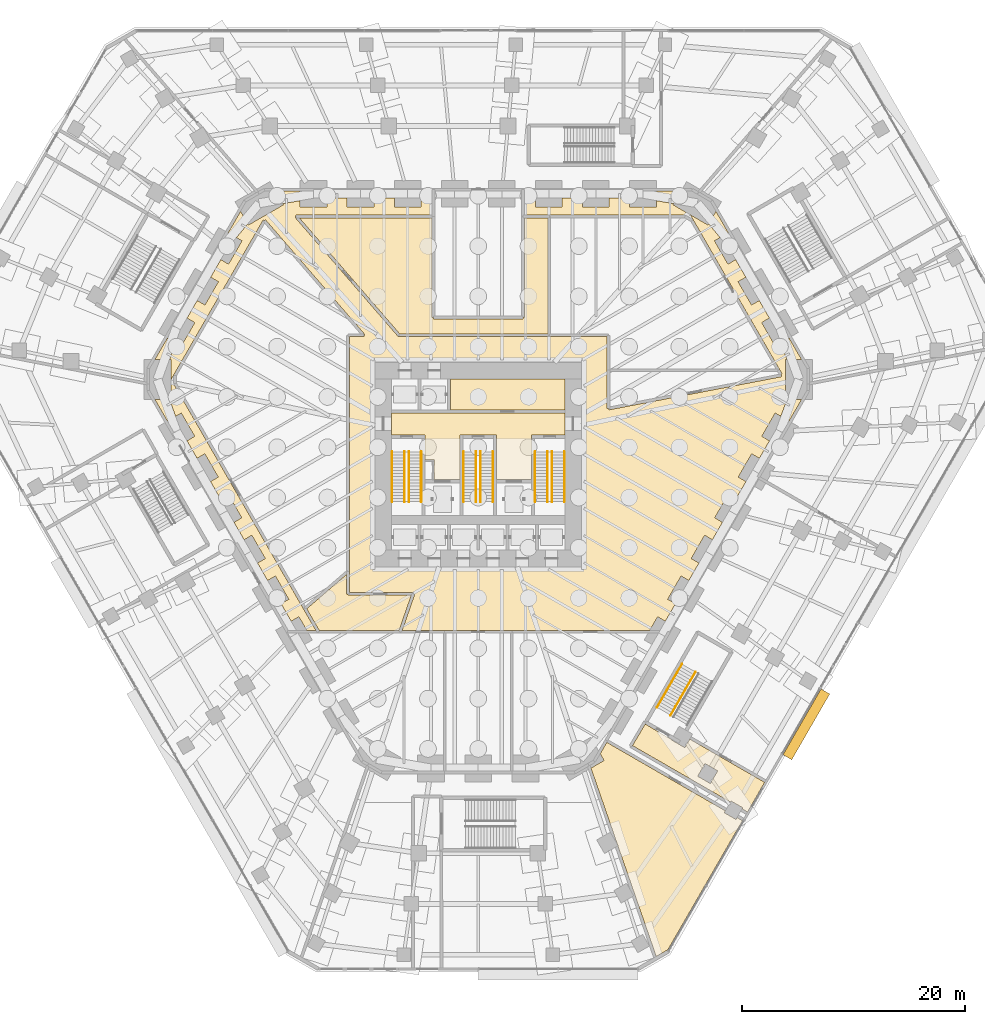
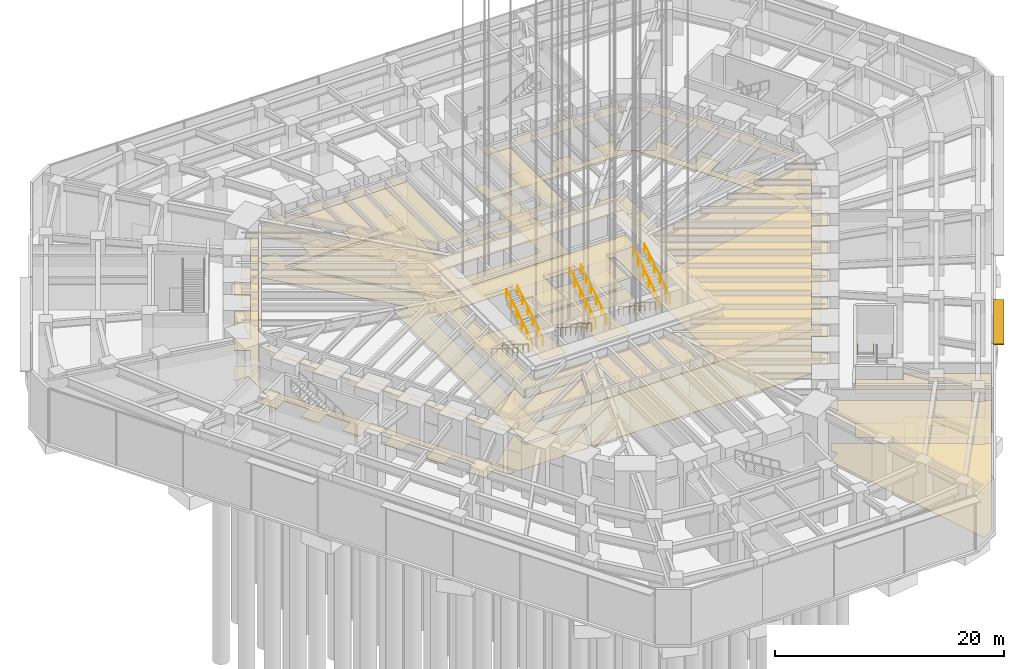
# One storey, part 26 of 34: 14 railings, 13 coverings, 1 shading device.
"""IFC4 building model written with IfcOpenShell, lengths in metres."""

from ifc_helpers import new_model, si_unit, direction, frame, origin, origin_2d, place, context, subcontext, project, spatial, polyline, rectangle, circle, outline, extrude, material, layer, layer_set, type_object, element, save


model = new_model("IFC4")

# Units and contexts
model_context = context("Model", 3, precision=1e-05, world=origin(), true_north=direction((0.0, 1.0)))
body_context = subcontext(model_context, "Body", "Model", "MODEL_VIEW")
ifc_project = project(units=[si_unit("LENGTHUNIT", "METRE"), si_unit("AREAUNIT", "SQUARE_METRE"), si_unit("VOLUMEUNIT", "CUBIC_METRE"), si_unit("PLANEANGLEUNIT", "RADIAN"), si_unit("MASSUNIT", "GRAM", prefix="KILO")], contexts=[model_context])

# Site, building, storey
site_placement = place(None, origin())
site = spatial("IfcSite", under=ifc_project, at=site_placement, CompositionType="ELEMENT")
building_placement = place(site_placement, origin())
building = spatial("IfcBuilding", under=site, at=building_placement, Name="Sandreach Pilgrim Tower", CompositionType="ELEMENT")
storey_placement = place(building_placement, origin())
storey = spatial("IfcBuildingStorey", under=building, at=storey_placement, Name="L00", CompositionType="ELEMENT", Elevation=0.0)

# Coverings
ifc_material_1 = material(Name="Nylon carpet tile on the slab", Category="textile")
ifc_layer_1 = layer(ifc_material_1, 0.008056640625)
ifc_layer_set_1 = layer_set([ifc_layer_1], Name="Carpet tile")
covering_type_1 = type_object("IfcCoveringType", Name="Carpet tile", PredefinedType="FLOORING", material=ifc_layer_set_1)
covering_1_placement = place(storey_placement, origin())
element("IfcCovering", 1, at=covering_1_placement, inside=storey, type_object=covering_type_1, Name="Floor finish 00E8 Stair ST8 exit passageway", PredefinedType="FLOORING", context=body_context, shape_type="SweptSolid", body=[
    extrude(outline(polyline([(17.283935546875, -26.1650390625), (17.2744140625, -26.181884765625), (18.48681640625, -26.8818359375), (18.92822265625, -26.116943359375), (25.634765625, -29.990478515625), (24.101806640625, -32.645263671875), (23.608154296875, -32.360595703125), (23.662841796875, -32.265625), (22.623779296875, -31.665771484375), (22.568603515625, -31.760986328125), (13.8017578125, -26.704833984375), (14.943115234375, -24.769775390625), (17.283935546875, -26.1650390625)]), holes=[polyline([(21.4248046875, -28.967529296875), (20.299072265625, -28.3173828125), (19.64892578125, -29.443359375), (20.77490234375, -30.09326171875), (21.4248046875, -28.967529296875)])]), origin(), (0.0, 0.0, 1.0), 0.008056640625),
])
covering_2_placement = place(storey_placement, origin())
element("IfcCovering", 2, at=covering_2_placement, inside=storey, type_object=covering_type_1, Name="Floor finish 00N3 Pilgrim arrivals lounge", PredefinedType="FLOORING", context=body_context, shape_type="SweptSolid", body=[
    extrude(outline(polyline([(11.26513671875, -28.0361328125), (10.916015625, -27.431640625), (11.505615234375, -26.41064453125), (22.119140625, -32.53955078125), (22.023681640625, -32.704833984375), (23.06298828125, -33.304931640625), (23.158447265625, -33.1396484375), (23.643310546875, -33.419677734375), (16.973388671875, -44.97216796875), (15.9248046875, -45.577392578125), (12.4951171875, -35.67529296875), (12.514404296875, -35.664306640625), (12.456787109375, -35.564697265625), (10.085205078125, -28.71728515625), (11.26513671875, -28.0361328125)])), origin(), (0.0, 0.0, 1.0), 0.008056640625),
])
covering_3_placement = place(storey_placement, origin())
element("IfcCovering", 3, at=covering_3_placement, inside=storey, type_object=covering_type_1, Name="Floor finish 00N5 Ground floor prayer room", PredefinedType="FLOORING", context=body_context, shape_type="SweptSolid", body=[
    extrude(outline(polyline([(4.0, 11.4951171875), (4.0, 11.6201171875), (4.125, 11.6201171875), (4.125, 20.52490234375), (6.235107421875, 20.52490234375), (6.235107421875, 10.14501953125), (-7.032958984375, 10.14501953125), (-16.0166015625, 20.52490234375), (-4.125, 20.52490234375), (-4.125, 11.6201171875), (-4.0, 11.6201171875), (-4.0, 11.4951171875), (4.0, 11.4951171875)])), origin(), (0.0, 0.0, 1.0), 0.008056640625),
])
covering_4_placement = place(storey_placement, origin())
element("IfcCovering", 4, at=covering_4_placement, inside=storey, type_object=covering_type_1, Name="Floor finish 00N6 Security office", PredefinedType="FLOORING", context=body_context, shape_type="SweptSolid", body=[
    extrude(outline(polyline([(-5.985595703125, -13.2451171875), (-7.078857421875, -16.39501953125), (-14.237548828125, -16.39501953125), (-15.350341796875, -14.45703125), (-11.794921875, -11.38330078125), (-11.794921875, -13.1201171875), (-11.669921875, -13.1201171875), (-11.669921875, -13.2451171875), (-5.985595703125, -13.2451171875)])), origin(), (0.0, 0.0, 1.0), 0.008056640625),
])
covering_5_placement = place(storey_placement, origin())
element("IfcCovering", 5, at=covering_5_placement, inside=storey, type_object=covering_type_1, Name="Floor finish 00FL Fire service lift lobby", PredefinedType="FLOORING", context=body_context, shape_type="SweptSolid", body=[
    extrude(outline(polyline([(-3.949951171875, -1.125), (-4.75, -1.125), (-4.75, 1.10009765625), (-7.75, 1.10009765625), (-7.75, 3.050048828125), (7.75, 3.050048828125), (7.75, 1.10009765625), (4.75, 1.10009765625), (4.75, -2.89990234375), (1.64990234375, -2.89990234375), (1.64990234375, 1.10009765625), (-1.64990234375, 1.10009765625), (-1.64990234375, -2.89990234375), (-3.949951171875, -2.89990234375), (-3.949951171875, -1.125)])), origin(), (0.0, 0.0, 1.0), 0.008056640625),
])
ifc_material_2 = material(Name="Epoxy resin floor on the slab", Category="plastic")
ifc_layer_2 = layer(ifc_material_2, 0.00390625)
ifc_layer_set_2 = layer_set([ifc_layer_2], Name="Epoxy resin floor")
covering_type_2 = type_object("IfcCoveringType", Name="Epoxy resin floor", PredefinedType="FLOORING", material=ifc_layer_set_2)
covering_6_placement = place(storey_placement, origin())
element("IfcCovering", 6, at=covering_6_placement, inside=storey, type_object=covering_type_2, Name="Floor finish 00K1 Back of house store", PredefinedType="FLOORING", context=body_context, shape_type="SweptSolid", body=[
    extrude(outline(polyline([(-2.5, 6.10009765625), (7.75, 6.10009765625), (7.75, 3.35009765625), (-2.5, 3.35009765625), (-2.5, 6.10009765625)])), origin(), (0.0, 0.0, 1.0), 0.00390625),
])
ifc_material_3 = material(Name="Gypsum board suspended ceiling on a steel grid", Category="steel")
ifc_layer_3 = layer(ifc_material_3, 0.012939453125)
ifc_layer_set_3 = layer_set([ifc_layer_3], Name="Gypsum board suspended ceiling")
covering_type_3 = type_object("IfcCoveringType", Name="Gypsum board suspended ceiling", PredefinedType="CEILING", material=ifc_layer_set_3)
covering_7_placement = place(storey_placement, frame((0.0, 0.0, 4.64990234375)))
element("IfcCovering", 7, at=covering_7_placement, inside=storey, type_object=covering_type_3, Name="Ceiling 00E8 Stair ST8 exit passageway", PredefinedType="CEILING", context=body_context, shape_type="SweptSolid", body=[
    extrude(outline(polyline([(17.283935546875, -26.1650390625), (17.2744140625, -26.181884765625), (18.48681640625, -26.8818359375), (18.92822265625, -26.116943359375), (25.634765625, -29.990478515625), (24.101806640625, -32.645263671875), (23.608154296875, -32.360595703125), (23.662841796875, -32.265625), (22.623779296875, -31.665771484375), (22.568603515625, -31.760986328125), (13.8017578125, -26.704833984375), (14.943115234375, -24.769775390625), (17.283935546875, -26.1650390625)]), holes=[polyline([(20.77490234375, -30.09326171875), (21.4248046875, -28.967529296875), (20.299072265625, -28.3173828125), (19.64892578125, -29.443359375), (20.77490234375, -30.09326171875)])]), origin(), (0.0, 0.0, 1.0), 0.01318359375),
])
covering_8_placement = place(storey_placement, frame((0.0, 0.0, 4.64990234375)))
element("IfcCovering", 8, at=covering_8_placement, inside=storey, type_object=covering_type_3, Name="Ceiling 00N3 Pilgrim arrivals lounge", PredefinedType="CEILING", context=body_context, shape_type="SweptSolid", body=[
    extrude(outline(polyline([(10.916015625, -27.431640625), (11.505615234375, -26.41064453125), (22.119140625, -32.53955078125), (22.023681640625, -32.704833984375), (23.06298828125, -33.304931640625), (23.158447265625, -33.1396484375), (23.643310546875, -33.419677734375), (16.973388671875, -44.97216796875), (15.9248046875, -45.577392578125), (12.4951171875, -35.67529296875), (12.514404296875, -35.664306640625), (12.456787109375, -35.564697265625), (10.085205078125, -28.71728515625), (11.26513671875, -28.0361328125), (10.916015625, -27.431640625)])), origin(), (0.0, 0.0, 1.0), 0.01318359375),
])
covering_9_placement = place(storey_placement, frame((0.0, 0.0, 4.949951171875)))
element("IfcCovering", 9, at=covering_9_placement, inside=storey, type_object=covering_type_3, Name="Ceiling 00N5 Ground floor prayer room", PredefinedType="CEILING", context=body_context, shape_type="SweptSolid", body=[
    extrude(outline(polyline([(4.0, 11.4951171875), (4.0, 11.6201171875), (4.125, 11.6201171875), (4.125, 20.52490234375), (6.235107421875, 20.52490234375), (6.235107421875, 10.14501953125), (-7.032958984375, 10.14501953125), (-16.0166015625, 20.52490234375), (-4.125, 20.52490234375), (-4.125, 11.6201171875), (-4.0, 11.6201171875), (-4.0, 11.4951171875), (4.0, 11.4951171875)])), origin(), (0.0, 0.0, 1.0), 0.012939453125),
])
covering_10_placement = place(storey_placement, frame((0.0, 0.0, 4.949951171875)))
element("IfcCovering", 10, at=covering_10_placement, inside=storey, type_object=covering_type_3, Name="Ceiling 00N6 Security office", PredefinedType="CEILING", context=body_context, shape_type="SweptSolid", body=[
    extrude(outline(polyline([(-5.985595703125, -13.2451171875), (-7.078857421875, -16.39501953125), (-14.237548828125, -16.39501953125), (-15.350341796875, -14.45703125), (-11.794921875, -11.38330078125), (-11.794921875, -13.1201171875), (-11.669921875, -13.1201171875), (-11.669921875, -13.2451171875), (-5.985595703125, -13.2451171875)])), origin(), (0.0, 0.0, 1.0), 0.012939453125),
])
covering_11_placement = place(storey_placement, frame((0.0, 0.0, 5.699951171875)))
element("IfcCovering", 11, at=covering_11_placement, inside=storey, type_object=covering_type_3, Name="Ceiling 00FL Fire service lift lobby", PredefinedType="CEILING", context=body_context, shape_type="SweptSolid", body=[
    extrude(outline(polyline([(-3.949951171875, -1.125), (-4.75, -1.125), (-4.75, 1.10009765625), (-7.75, 1.10009765625), (-7.75, 3.050048828125), (7.75, 3.050048828125), (7.75, 1.10009765625), (4.75, 1.10009765625), (4.75, -2.89990234375), (1.64990234375, -2.89990234375), (1.64990234375, 1.10009765625), (-1.64990234375, 1.10009765625), (-1.64990234375, -2.89990234375), (-3.949951171875, -2.89990234375), (-3.949951171875, -1.125)])), origin(), (0.0, 0.0, 1.0), 0.012939453125),
])

# Shading device
ifc_material_4 = material(Name="Extruded aluminium sunshade blade, powder coated", Category="aluminium")
ifc_layer_4 = layer(ifc_material_4, 0.10009765625)
ifc_layer_set_4 = layer_set([ifc_layer_4], Name="Podium sunshade 900")
shading_device_type = type_object("IfcShadingDeviceType", Name="Podium sunshade 900", PredefinedType="AWNING", material=ifc_layer_set_4)
shading_device_placement = place(storey_placement, frame((29.367919921875, -24.80419921875, 5.64990234375), z_axis=(0.0, 0.0, 1.0), x_axis=(-0.5, -0.866025403784, 0.0)))
element("IfcShadingDevice", 12, at=shading_device_placement, inside=storey, type_object=shading_device_type, Name="Sunshade L00 SE over SEB", PredefinedType="AWNING", context=body_context, shape_type="SweptSolid", body=[
    extrude(rectangle(XDim=6.797119140625, YDim=0.89990234375, at=origin_2d()), origin(), (0.0, 0.0, 1.0), 0.10009765625),
])

# Railings
ifc_material_5 = material(Name="Stainless steel tube", Category="steel")
railing_type = type_object("IfcRailingType", Name="Stair handrail", PredefinedType="HANDRAIL", material=ifc_material_5)
for number, where, name in (
    (13, (-6.60009765625, -0.39990234375, 0.176513671875), "Handrail ST1 L00 flight 1"),
    (14, (-7.699951171875, -0.39990234375, 0.176513671875), "Handrail ST1 L00 flight 1"),
):
    element("IfcRailing", number, at=place(storey_placement, frame(where)), inside=storey, type_object=railing_type, Name=name, PredefinedType="HANDRAIL", context=body_context, shape_type="SweptSolid", body=[
        extrude(circle(Radius=0.02392578125, at=origin_2d()), frame((0.0, 0.0, 0.8759765625), z_axis=(0.0, -0.845997938375, 0.533186166611), x_axis=(1.0, 0.0, 0.0)), (0.0, 0.0, 1.0), 5.29541015625),
        extrude(circle(Radius=0.02099609375, at=origin_2d()), origin(), (0.0, 0.0, 1.0), 0.851806640625),
        extrude(circle(Radius=0.02099609375, at=origin_2d()), frame((0.0, -0.89599609375, 0.564697265625)), (0.0, 0.0, 1.0), 0.851806640625),
        extrude(circle(Radius=0.02099609375, at=origin_2d()), frame((0.0, -1.7919921875, 1.12939453125)), (0.0, 0.0, 1.0), 0.851806640625),
        extrude(circle(Radius=0.02099609375, at=origin_2d()), frame((0.0, -2.68798828125, 1.694091796875)), (0.0, 0.0, 1.0), 0.851806640625),
        extrude(circle(Radius=0.02099609375, at=origin_2d()), frame((0.0, -3.583984375, 2.2587890625)), (0.0, 0.0, 1.0), 0.851806640625),
        extrude(circle(Radius=0.02099609375, at=origin_2d()), frame((0.0, -4.47998046875, 2.823486328125)), (0.0, 0.0, 1.0), 0.851806640625),
    ])
for number, where, name in (
    (15, (-6.199951171875, -4.8798828125, 3.176513671875), "Handrail ST1 L00 flight 2"),
    (16, (-5.10009765625, -4.8798828125, 3.176513671875), "Handrail ST1 L00 flight 2"),
):
    element("IfcRailing", number, at=place(storey_placement, frame(where)), inside=storey, type_object=railing_type, Name=name, PredefinedType="HANDRAIL", context=body_context, shape_type="SweptSolid", body=[
        extrude(circle(Radius=0.02392578125, at=origin_2d()), frame((0.0, 0.0, 0.8759765625), z_axis=(0.0, 0.845997938375, 0.533186166611), x_axis=(-1.0, 0.0, 0.0)), (0.0, 0.0, 1.0), 5.29541015625),
        extrude(circle(Radius=0.02099609375, at=origin_2d()), origin(), (0.0, 0.0, 1.0), 0.851806640625),
        extrude(circle(Radius=0.02099609375, at=origin_2d()), frame((0.0, 0.89599609375, 0.564697265625)), (0.0, 0.0, 1.0), 0.851806640625),
        extrude(circle(Radius=0.02099609375, at=origin_2d()), frame((0.0, 1.7919921875, 1.12939453125)), (0.0, 0.0, 1.0), 0.851806640625),
        extrude(circle(Radius=0.02099609375, at=origin_2d()), frame((0.0, 2.68798828125, 1.694091796875)), (0.0, 0.0, 1.0), 0.851806640625),
        extrude(circle(Radius=0.02099609375, at=origin_2d()), frame((0.0, 3.583984375, 2.2587890625)), (0.0, 0.0, 1.0), 0.851806640625),
        extrude(circle(Radius=0.02099609375, at=origin_2d()), frame((0.0, 4.47998046875, 2.823486328125)), (0.0, 0.0, 1.0), 0.851806640625),
    ])
for number, where, name in (
    (17, (-0.199951171875, -0.39990234375, 0.176513671875), "Handrail ST3 L00 flight 1"),
    (18, (-1.300048828125, -0.39990234375, 0.176513671875), "Handrail ST3 L00 flight 1"),
):
    element("IfcRailing", number, at=place(storey_placement, frame(where)), inside=storey, type_object=railing_type, Name=name, PredefinedType="HANDRAIL", context=body_context, shape_type="SweptSolid", body=[
        extrude(circle(Radius=0.02392578125, at=origin_2d()), frame((0.0, 0.0, 0.8759765625), z_axis=(0.0, -0.845997938375, 0.533186166611), x_axis=(1.0, 0.0, 0.0)), (0.0, 0.0, 1.0), 5.29541015625),
        extrude(circle(Radius=0.02099609375, at=origin_2d()), origin(), (0.0, 0.0, 1.0), 0.851806640625),
        extrude(circle(Radius=0.02099609375, at=origin_2d()), frame((0.0, -0.89599609375, 0.564697265625)), (0.0, 0.0, 1.0), 0.851806640625),
        extrude(circle(Radius=0.02099609375, at=origin_2d()), frame((0.0, -1.7919921875, 1.12939453125)), (0.0, 0.0, 1.0), 0.851806640625),
        extrude(circle(Radius=0.02099609375, at=origin_2d()), frame((0.0, -2.68798828125, 1.694091796875)), (0.0, 0.0, 1.0), 0.851806640625),
        extrude(circle(Radius=0.02099609375, at=origin_2d()), frame((0.0, -3.583984375, 2.2587890625)), (0.0, 0.0, 1.0), 0.851806640625),
        extrude(circle(Radius=0.02099609375, at=origin_2d()), frame((0.0, -4.47998046875, 2.823486328125)), (0.0, 0.0, 1.0), 0.851806640625),
    ])
for number, where, name in (
    (19, (0.199951171875, -4.8798828125, 3.176513671875), "Handrail ST3 L00 flight 2"),
    (20, (1.300048828125, -4.8798828125, 3.176513671875), "Handrail ST3 L00 flight 2"),
):
    element("IfcRailing", number, at=place(storey_placement, frame(where)), inside=storey, type_object=railing_type, Name=name, PredefinedType="HANDRAIL", context=body_context, shape_type="SweptSolid", body=[
        extrude(circle(Radius=0.02392578125, at=origin_2d()), frame((0.0, 0.0, 0.8759765625), z_axis=(0.0, 0.845997938375, 0.533186166611), x_axis=(-1.0, 0.0, 0.0)), (0.0, 0.0, 1.0), 5.29541015625),
        extrude(circle(Radius=0.02099609375, at=origin_2d()), origin(), (0.0, 0.0, 1.0), 0.851806640625),
        extrude(circle(Radius=0.02099609375, at=origin_2d()), frame((0.0, 0.89599609375, 0.564697265625)), (0.0, 0.0, 1.0), 0.851806640625),
        extrude(circle(Radius=0.02099609375, at=origin_2d()), frame((0.0, 1.7919921875, 1.12939453125)), (0.0, 0.0, 1.0), 0.851806640625),
        extrude(circle(Radius=0.02099609375, at=origin_2d()), frame((0.0, 2.68798828125, 1.694091796875)), (0.0, 0.0, 1.0), 0.851806640625),
        extrude(circle(Radius=0.02099609375, at=origin_2d()), frame((0.0, 3.583984375, 2.2587890625)), (0.0, 0.0, 1.0), 0.851806640625),
        extrude(circle(Radius=0.02099609375, at=origin_2d()), frame((0.0, 4.47998046875, 2.823486328125)), (0.0, 0.0, 1.0), 0.851806640625),
    ])
for number, where, name in (
    (21, (6.199951171875, -0.39990234375, 0.176513671875), "Handrail ST2 L00 flight 1"),
    (22, (5.10009765625, -0.39990234375, 0.176513671875), "Handrail ST2 L00 flight 1"),
):
    element("IfcRailing", number, at=place(storey_placement, frame(where)), inside=storey, type_object=railing_type, Name=name, PredefinedType="HANDRAIL", context=body_context, shape_type="SweptSolid", body=[
        extrude(circle(Radius=0.02392578125, at=origin_2d()), frame((0.0, 0.0, 0.8759765625), z_axis=(0.0, -0.845997938375, 0.533186166611), x_axis=(1.0, 0.0, 0.0)), (0.0, 0.0, 1.0), 5.29541015625),
        extrude(circle(Radius=0.02099609375, at=origin_2d()), origin(), (0.0, 0.0, 1.0), 0.851806640625),
        extrude(circle(Radius=0.02099609375, at=origin_2d()), frame((0.0, -0.89599609375, 0.564697265625)), (0.0, 0.0, 1.0), 0.851806640625),
        extrude(circle(Radius=0.02099609375, at=origin_2d()), frame((0.0, -1.7919921875, 1.12939453125)), (0.0, 0.0, 1.0), 0.851806640625),
        extrude(circle(Radius=0.02099609375, at=origin_2d()), frame((0.0, -2.68798828125, 1.694091796875)), (0.0, 0.0, 1.0), 0.851806640625),
        extrude(circle(Radius=0.02099609375, at=origin_2d()), frame((0.0, -3.583984375, 2.2587890625)), (0.0, 0.0, 1.0), 0.851806640625),
        extrude(circle(Radius=0.02099609375, at=origin_2d()), frame((0.0, -4.47998046875, 2.823486328125)), (0.0, 0.0, 1.0), 0.851806640625),
    ])
for number, where, name in (
    (23, (6.60009765625, -4.8798828125, 3.176513671875), "Handrail ST2 L00 flight 2"),
    (24, (7.699951171875, -4.8798828125, 3.176513671875), "Handrail ST2 L00 flight 2"),
):
    element("IfcRailing", number, at=place(storey_placement, frame(where)), inside=storey, type_object=railing_type, Name=name, PredefinedType="HANDRAIL", context=body_context, shape_type="SweptSolid", body=[
        extrude(circle(Radius=0.02392578125, at=origin_2d()), frame((0.0, 0.0, 0.8759765625), z_axis=(0.0, 0.845997938375, 0.533186166611), x_axis=(-1.0, 0.0, 0.0)), (0.0, 0.0, 1.0), 5.29541015625),
        extrude(circle(Radius=0.02099609375, at=origin_2d()), origin(), (0.0, 0.0, 1.0), 0.851806640625),
        extrude(circle(Radius=0.02099609375, at=origin_2d()), frame((0.0, 0.89599609375, 0.564697265625)), (0.0, 0.0, 1.0), 0.851806640625),
        extrude(circle(Radius=0.02099609375, at=origin_2d()), frame((0.0, 1.7919921875, 1.12939453125)), (0.0, 0.0, 1.0), 0.851806640625),
        extrude(circle(Radius=0.02099609375, at=origin_2d()), frame((0.0, 2.68798828125, 1.694091796875)), (0.0, 0.0, 1.0), 0.851806640625),
        extrude(circle(Radius=0.02099609375, at=origin_2d()), frame((0.0, 3.583984375, 2.2587890625)), (0.0, 0.0, 1.0), 0.851806640625),
        extrude(circle(Radius=0.02099609375, at=origin_2d()), frame((0.0, 4.47998046875, 2.823486328125)), (0.0, 0.0, 1.0), 0.851806640625),
    ])
for number, where, name in (
    (25, (19.445068359375, -20.117431640625, 3.176513671875), "Handrail ST8 L00 flight 2"),
    (26, (18.232666015625, -19.41748046875, 3.176513671875), "Handrail ST8 L00 flight 2"),
):
    element("IfcRailing", number, at=place(storey_placement, frame(where)), inside=storey, type_object=railing_type, Name=name, PredefinedType="HANDRAIL", context=body_context, shape_type="SweptSolid", body=[
        extrude(circle(Radius=0.02392578125, at=origin_2d()), frame((0.0, 0.0, 0.8759765625), z_axis=(-0.42299277051, -0.732664971003, 0.533178353237), x_axis=(0.866031314237, -0.499989762656, 0.0)), (0.0, 0.0, 1.0), 5.295654296875),
        extrude(circle(Radius=0.02099609375, at=origin_2d()), origin(), (0.0, 0.0, 1.0), 0.851806640625),
        extrude(circle(Radius=0.02099609375, at=origin_2d()), frame((-0.447998046875, -0.77587890625, 0.564697265625)), (0.0, 0.0, 1.0), 0.851806640625),
        extrude(circle(Radius=0.02099609375, at=origin_2d()), frame((-0.89599609375, -1.552001953125, 1.12939453125)), (0.0, 0.0, 1.0), 0.851806640625),
        extrude(circle(Radius=0.02099609375, at=origin_2d()), frame((-1.343994140625, -2.327880859375, 1.694091796875)), (0.0, 0.0, 1.0), 0.851806640625),
        extrude(circle(Radius=0.02099609375, at=origin_2d()), frame((-1.7919921875, -3.10400390625, 2.2587890625)), (0.0, 0.0, 1.0), 0.851806640625),
        extrude(circle(Radius=0.02099609375, at=origin_2d()), frame((-2.239990234375, -3.8798828125, 2.823486328125)), (0.0, 0.0, 1.0), 0.851806640625),
    ])

# Coverings
ifc_material_6 = material(Name="Honed limestone paving on a mortar bed", Category="masonry")
ifc_layer_5 = layer(ifc_material_6, 0.030029296875)
ifc_layer_set_5 = layer_set([ifc_layer_5], Name="Stone paving")
covering_type_4 = type_object("IfcCoveringType", Name="Stone paving", PredefinedType="FLOORING", material=ifc_layer_set_5)
covering_12_placement = place(storey_placement, origin())
element("IfcCovering", 27, at=covering_12_placement, inside=storey, type_object=covering_type_4, Name="Floor finish 00C Main lobby", PredefinedType="FLOORING", context=body_context, shape_type="SweptSolid", body=[
    extrude(outline(polyline([(-27.5126953125, 7.862060546875), (-28.93212890625, 7.862060546875), (-27.814208984375, 9.79736328125), (-26.571044921875, 9.07958984375), (-25.370849609375, 11.157958984375), (-26.613525390625, 11.87548828125), (-25.7021484375, 13.453369140625), (-24.459716796875, 12.736328125), (-23.259765625, 14.814697265625), (-24.50146484375, 15.531494140625), (-23.58984375, 17.109375), (-22.3486328125, 16.392822265625), (-21.148681640625, 18.47119140625), (-22.389404296875, 19.1875), (-21.2724609375, 21.12060546875), (-20.565185546875, 19.8955078125), (-17.447509765625, 21.695556640625), (-18.1572265625, 22.925048828125), (-15.934814453125, 22.925048828125), (-15.934814453125, 21.48876953125), (-13.53466796875, 21.48876953125), (-13.53466796875, 22.925048828125), (-11.724853515625, 22.925048828125), (-11.724853515625, 21.48876953125), (-9.32470703125, 21.48876953125), (-9.32470703125, 22.925048828125), (-7.514892578125, 22.925048828125), (-7.514892578125, 21.48876953125), (-5.114990234375, 21.48876953125), (-5.114990234375, 22.925048828125), (-4.125, 22.925048828125), (-4.125, 20.77490234375), (-16.2900390625, 20.77490234375), (-16.384521484375, 20.568115234375), (-7.147216796875, 9.89501953125), (11.544921875, 9.89501953125), (11.544921875, 3.469970703125), (11.669677734375, 3.469970703125), (11.693603515625, 3.34716796875), (27.1435546875, 6.317138671875), (27.10400390625, 6.52294921875), (27.189453125, 6.571044921875), (18.994384765625, 20.77490234375), (4.125, 20.77490234375), (4.125, 22.925048828125), (5.114990234375, 22.925048828125), (5.114990234375, 21.48876953125), (7.514892578125, 21.48876953125), (7.514892578125, 22.925048828125), (9.32470703125, 22.925048828125), (9.32470703125, 21.48876953125), (11.724853515625, 21.48876953125), (11.724853515625, 22.925048828125), (13.53466796875, 22.925048828125), (13.53466796875, 21.48876953125), (15.934814453125, 21.48876953125), (15.934814453125, 22.925048828125), (18.1572265625, 22.925048828125), (17.447509765625, 21.695556640625), (20.565185546875, 19.8955078125), (21.2724609375, 21.12060546875), (22.389404296875, 19.1875), (21.148681640625, 18.47119140625), (22.3486328125, 16.392822265625), (23.58984375, 17.109375), (24.50146484375, 15.531494140625), (23.259765625, 14.814697265625), (24.459716796875, 12.736328125), (25.7021484375, 13.453369140625), (26.613525390625, 11.87548828125), (25.370849609375, 11.157958984375), (26.571044921875, 9.07958984375), (27.814208984375, 9.79736328125), (28.93212890625, 7.862060546875), (27.5126953125, 7.862060546875), (27.5126953125, 4.26220703125), (28.934326171875, 4.26220703125), (27.821533203125, 2.3369140625), (26.5771484375, 3.055419921875), (25.377197265625, 0.97705078125), (26.620361328125, 0.25927734375), (25.714599609375, -1.3076171875), (24.47216796875, -0.59033203125), (23.272216796875, -2.6689453125), (24.513671875, -3.3857421875), (23.6083984375, -4.952880859375), (22.3671875, -4.236328125), (21.167236328125, -6.314697265625), (22.40771484375, -7.031005859375), (21.50244140625, -8.59814453125), (20.26220703125, -7.882080078125), (19.062255859375, -9.960693359375), (20.3017578125, -10.67626953125), (19.396240234375, -12.243408203125), (18.1572265625, -11.528076171875), (16.957275390625, -13.6064453125), (18.19580078125, -14.321533203125), (17.290283203125, -15.888671875), (16.05224609375, -15.174072265625), (15.347412109375, -16.39501953125), (-6.814208984375, -16.39501953125), (-5.69189453125, -13.160888671875), (-5.81005859375, -13.1201171875), (-5.81005859375, -12.9951171875), (-11.544921875, -12.9951171875), (-11.544921875, 9.89501953125), (-10.260009765625, 9.89501953125), (-10.16552734375, 10.101806640625), (-19.04541015625, 20.351806640625), (-19.139892578125, 20.27001953125), (-19.248291015625, 20.33251953125), (-27.4892578125, 6.065185546875), (-14.52587890625, -16.39501953125), (-15.347412109375, -16.39501953125), (-16.05224609375, -15.174072265625), (-17.29052734375, -15.888916015625), (-18.1962890625, -14.32177734375), (-16.957275390625, -13.6064453125), (-18.1572265625, -11.528076171875), (-19.3974609375, -12.244140625), (-20.30322265625, -10.67724609375), (-19.062255859375, -9.960693359375), (-20.26220703125, -7.882080078125), (-21.50439453125, -8.599365234375), (-22.409912109375, -7.0322265625), (-21.167236328125, -6.314697265625), (-22.3671875, -4.236328125), (-23.6103515625, -4.9541015625), (-24.515869140625, -3.386962890625), (-23.272216796875, -2.6689453125), (-24.47216796875, -0.59033203125), (-25.71630859375, -1.30859375), (-26.621826171875, 0.258544921875), (-25.377197265625, 0.97705078125), (-26.5771484375, 3.055419921875), (-27.822265625, 2.336669921875), (-28.934814453125, 4.26220703125), (-27.5126953125, 4.26220703125), (-27.5126953125, 7.862060546875)]), holes=[polyline([(9.27001953125, 7.6201171875), (-9.27001953125, 7.6201171875), (-9.27001953125, -10.719970703125), (9.27001953125, -10.719970703125), (9.27001953125, 7.6201171875)])]), origin(), (0.0, 0.0, 1.0), 0.030029296875),
])
ifc_material_7 = material(Name="Timber slat acoustic ceiling on a suspension grid", Category="wood")
ifc_layer_6 = layer(ifc_material_7, 0.02490234375)
ifc_layer_set_6 = layer_set([ifc_layer_6], Name="Timber slat acoustic ceiling")
covering_type_5 = type_object("IfcCoveringType", Name="Timber slat acoustic ceiling", PredefinedType="CEILING", material=ifc_layer_set_6)
covering_13_placement = place(storey_placement, frame((0.0, 0.0, 4.60009765625)))
element("IfcCovering", 28, at=covering_13_placement, inside=storey, type_object=covering_type_5, Name="Ceiling 00C Main lobby", PredefinedType="CEILING", context=body_context, shape_type="SweptSolid", body=[
    extrude(outline(polyline([(-27.5126953125, 4.26220703125), (-27.5126953125, 7.862060546875), (-27.628662109375, 7.862060546875), (-27.076904296875, 9.37158203125), (-26.571044921875, 9.07958984375), (-25.370849609375, 11.157958984375), (-26.063720703125, 11.55810546875), (-25.152587890625, 13.13623046875), (-24.459716796875, 12.736328125), (-23.259765625, 14.814697265625), (-23.95263671875, 15.214599609375), (-23.04150390625, 16.79296875), (-22.3486328125, 16.392822265625), (-21.148681640625, 18.47119140625), (-21.654541015625, 18.763427734375), (-20.623291015625, 19.99609375), (-20.565185546875, 19.8955078125), (-17.447509765625, 21.695556640625), (-17.505859375, 21.796875), (-15.934814453125, 22.072265625), (-15.934814453125, 21.48876953125), (-13.53466796875, 21.48876953125), (-13.53466796875, 22.288818359375), (-11.724853515625, 22.288818359375), (-11.724853515625, 21.48876953125), (-9.32470703125, 21.48876953125), (-9.32470703125, 22.288818359375), (-7.514892578125, 22.288818359375), (-7.514892578125, 21.48876953125), (-5.114990234375, 21.48876953125), (-5.114990234375, 22.288818359375), (-4.125, 22.288818359375), (-4.125, 20.77490234375), (-16.2900390625, 20.77490234375), (-16.384521484375, 20.568115234375), (-7.147216796875, 9.89501953125), (11.544921875, 9.89501953125), (11.544921875, 3.469970703125), (11.669677734375, 3.469970703125), (11.693603515625, 3.34716796875), (27.1435546875, 6.317138671875), (27.10400390625, 6.52294921875), (27.189453125, 6.571044921875), (18.994384765625, 20.77490234375), (4.125, 20.77490234375), (4.125, 22.288818359375), (5.114990234375, 22.288818359375), (5.114990234375, 21.48876953125), (7.514892578125, 21.48876953125), (7.514892578125, 22.288818359375), (9.32470703125, 22.288818359375), (9.32470703125, 21.48876953125), (11.724853515625, 21.48876953125), (11.724853515625, 22.288818359375), (13.53466796875, 22.288818359375), (13.53466796875, 21.48876953125), (15.934814453125, 21.48876953125), (15.934814453125, 22.072265625), (17.505859375, 21.796875), (17.447509765625, 21.695556640625), (20.565185546875, 19.8955078125), (20.623291015625, 19.99609375), (21.654541015625, 18.763427734375), (21.148681640625, 18.47119140625), (22.3486328125, 16.392822265625), (23.04150390625, 16.79296875), (23.95263671875, 15.214599609375), (23.259765625, 14.814697265625), (24.459716796875, 12.736328125), (25.152587890625, 13.13623046875), (26.063720703125, 11.55810546875), (25.370849609375, 11.157958984375), (26.571044921875, 9.07958984375), (27.076904296875, 9.37158203125), (27.628662109375, 7.862060546875), (27.5126953125, 7.862060546875), (27.5126953125, 4.26220703125), (27.629638671875, 4.26220703125), (27.08251953125, 2.763671875), (26.5771484375, 3.055419921875), (25.377197265625, 0.97705078125), (26.070068359375, 0.5771484375), (25.1650390625, -0.990478515625), (24.47216796875, -0.59033203125), (23.272216796875, -2.6689453125), (23.965087890625, -3.06884765625), (23.06005859375, -4.63623046875), (22.3671875, -4.236328125), (21.167236328125, -6.314697265625), (21.860107421875, -6.71484375), (20.955078125, -8.2822265625), (20.26220703125, -7.882080078125), (19.062255859375, -9.960693359375), (19.755126953125, -10.360595703125), (18.85009765625, -11.927978515625), (18.1572265625, -11.528076171875), (16.957275390625, -13.6064453125), (17.650146484375, -14.006591796875), (16.7451171875, -15.573974609375), (16.05224609375, -15.174072265625), (15.347412109375, -16.39501953125), (-6.814208984375, -16.39501953125), (-5.69189453125, -13.160888671875), (-5.81005859375, -13.1201171875), (-5.81005859375, -12.9951171875), (-11.544921875, -12.9951171875), (-11.544921875, 9.89501953125), (-10.260009765625, 9.89501953125), (-10.16552734375, 10.101806640625), (-19.04541015625, 20.351806640625), (-19.139892578125, 20.27001953125), (-19.248291015625, 20.33251953125), (-27.4892578125, 6.065185546875), (-14.52587890625, -16.39501953125), (-15.347412109375, -16.39501953125), (-16.05224609375, -15.174072265625), (-16.7451171875, -15.573974609375), (-17.650146484375, -14.006591796875), (-16.957275390625, -13.6064453125), (-18.1572265625, -11.528076171875), (-18.85009765625, -11.927978515625), (-19.755126953125, -10.360595703125), (-19.062255859375, -9.960693359375), (-20.26220703125, -7.882080078125), (-20.955078125, -8.2822265625), (-21.860107421875, -6.71484375), (-21.167236328125, -6.314697265625), (-22.3671875, -4.236328125), (-23.06005859375, -4.63623046875), (-23.965087890625, -3.06884765625), (-23.272216796875, -2.6689453125), (-24.47216796875, -0.59033203125), (-25.1650390625, -0.990478515625), (-26.070068359375, 0.5771484375), (-25.377197265625, 0.97705078125), (-26.5771484375, 3.055419921875), (-27.08251953125, 2.763671875), (-27.629638671875, 4.26220703125), (-27.5126953125, 4.26220703125)]), holes=[polyline([(9.27001953125, 7.6201171875), (-9.27001953125, 7.6201171875), (-9.27001953125, -10.719970703125), (9.27001953125, -10.719970703125), (9.27001953125, 7.6201171875)])]), origin(), (0.0, 0.0, 1.0), 0.02490234375),
])

save(model, "model.ifc")
